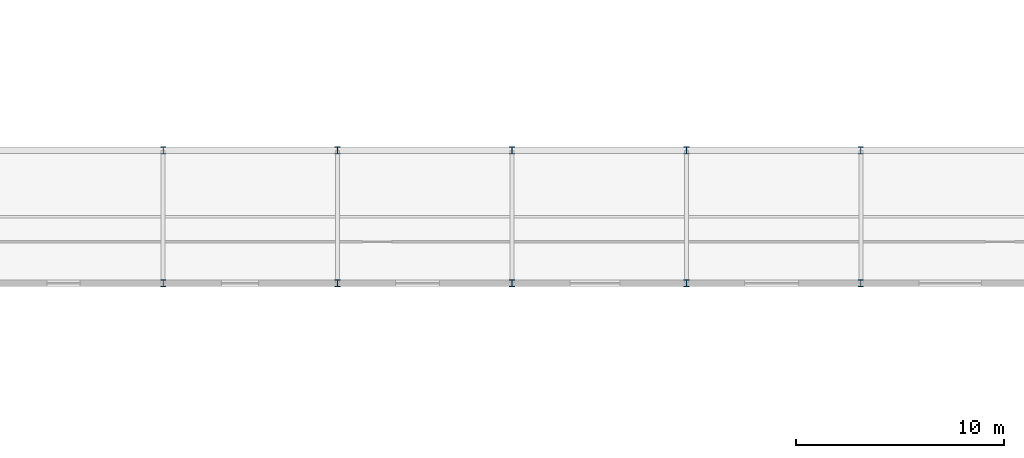
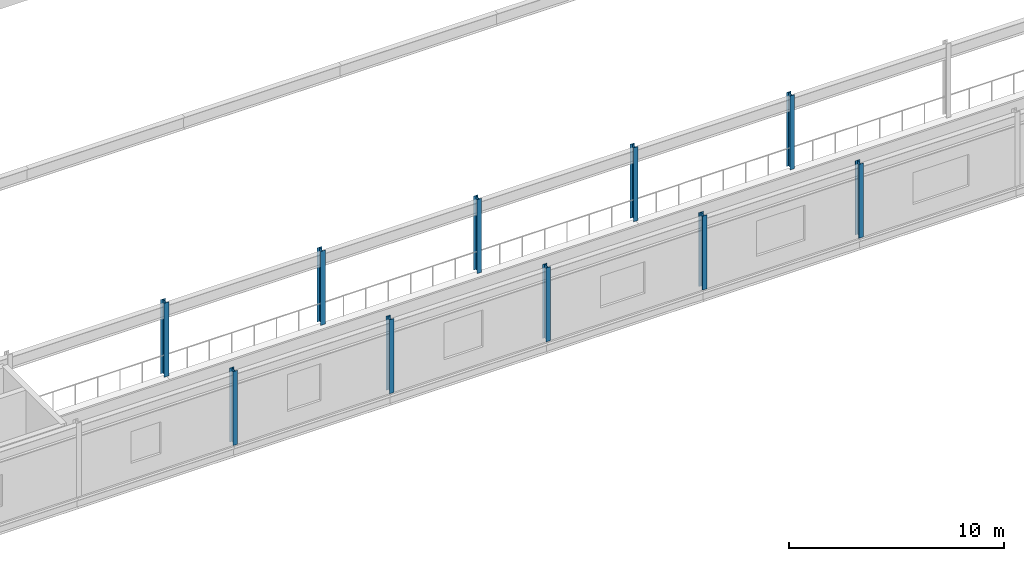
# One storey, part 8 of 39: 10 columns.
"""IFC4 building model written with IfcOpenShell, lengths in metres."""

from ifc_helpers import new_model, si_unit, direction, frame, origin, origin_2d, place, context, subcontext, project, spatial, i_section, extrude, material, material_profile, profile_set, type_object, element, save


model = new_model("IFC4")

# Units and contexts
model_context = context("Model", 3, precision=1e-05, world=origin(), true_north=direction((0.0, 1.0)))
body_context = subcontext(model_context, "Body", "Model", "MODEL_VIEW")
ifc_project = project(units=[si_unit("LENGTHUNIT", "METRE"), si_unit("AREAUNIT", "SQUARE_METRE"), si_unit("VOLUMEUNIT", "CUBIC_METRE"), si_unit("PLANEANGLEUNIT", "RADIAN"), si_unit("MASSUNIT", "GRAM", prefix="KILO")], contexts=[model_context])

# Site, building, storey
site_placement = place(None, origin())
site = spatial("IfcSite", under=ifc_project, at=site_placement, CompositionType="ELEMENT")
building_placement = place(site_placement, origin())
building = spatial("IfcBuilding", under=site, at=building_placement, Name="Kazenagashi Tramway Depot", CompositionType="ELEMENT")
storey_placement = place(building_placement, frame((0.0, 0.0, 11.1)))
storey = spatial("IfcBuildingStorey", under=building, at=storey_placement, Name="L03", CompositionType="ELEMENT", Elevation=11.1)

# Columns
ifc_material = material(Name="Steel SN490B", Category="steel")
ifc_material_profile = material_profile(ifc_material, i_section(OverallWidth=0.25, OverallDepth=0.34, WebThickness=0.009, FlangeThickness=0.014, at=origin_2d()), Name="H-340x250x9x14")
ifc_profile_set = profile_set([ifc_material_profile], Name="Steel SN490B")
column_type = type_object("IfcColumnType", Name="C-20", PredefinedType="COLUMN", material=ifc_profile_set)
for number, where, z_axis, x_axis, name in (
    (1, (70.0, 16.5, 0.0), (0.0, 0.0, 1.0), (1.0, 0.0, 0.0), "Column C-20 COL-0197"),
    (2, (70.0, 22.9, 0.0), (0.0, 0.0, 1.0), (1.0, 0.0, 0.0), "Column C-20 COL-0201"),
    (3, (78.4, 16.5, 0.0), (0.0, 0.0, 1.0), (1.0, 0.0, 0.0), "Column C-20 COL-0214"),
    (4, (78.4, 22.9, 0.0), (0.0, 0.0, 1.0), (1.0, 0.0, 0.0), "Column C-20 COL-0218"),
    (5, (86.8, 16.5, 0.0), (0.0, 0.0, 1.0), (1.0, 0.0, 0.0), "Column C-20 COL-0231"),
    (6, (86.8, 22.9, 0.0), (0.0, 0.0, 1.0), (1.0, 0.0, 0.0), "Column C-20 COL-0235"),
    (7, (95.2, 16.5, 0.0), (0.0, 0.0, 1.0), (1.0, 0.0, 0.0), "Column C-20 COL-0248"),
    (8, (95.2, 22.9, 0.0), (0.0, 0.0, 1.0), (1.0, 0.0, 0.0), "Column C-20 COL-0252"),
    (9, (103.6, 16.5, 0.0), (0.0, 0.0, 1.0), (1.0, 0.0, 0.0), "Column C-20 COL-0265"),
    (10, (103.6, 22.9, 0.0), (0.0, 0.0, 1.0), (1.0, 0.0, 0.0), "Column C-20 COL-0269"),
):
    element("IfcColumn", number, at=place(storey_placement, frame(where, z_axis=z_axis, x_axis=x_axis)), inside=storey, type_object=column_type, Name=name, PredefinedType="COLUMN", context=body_context, shape_type="SweptSolid", body=[
        extrude(i_section(OverallWidth=0.25, OverallDepth=0.34, WebThickness=0.009, FlangeThickness=0.014, at=origin_2d()), origin(), (0.0, 0.0, 1.0), 4.2),
    ])

save(model, "model.ifc")
